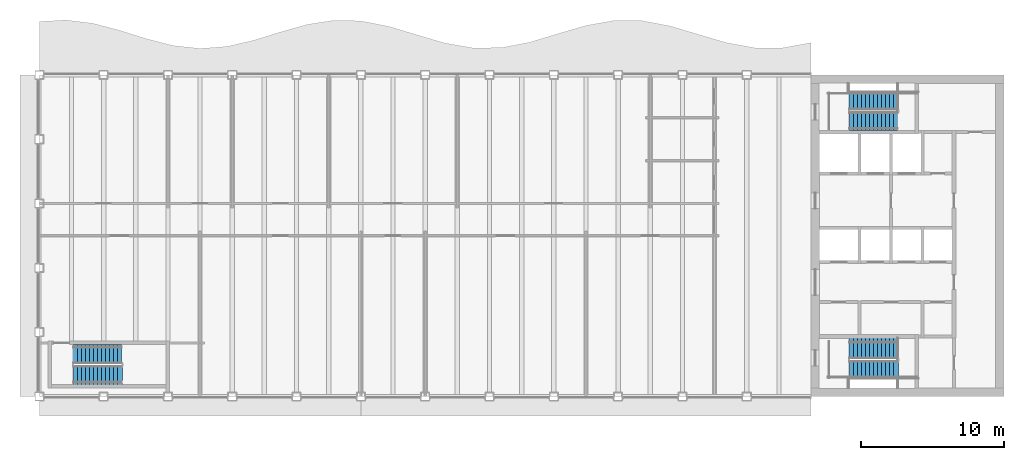
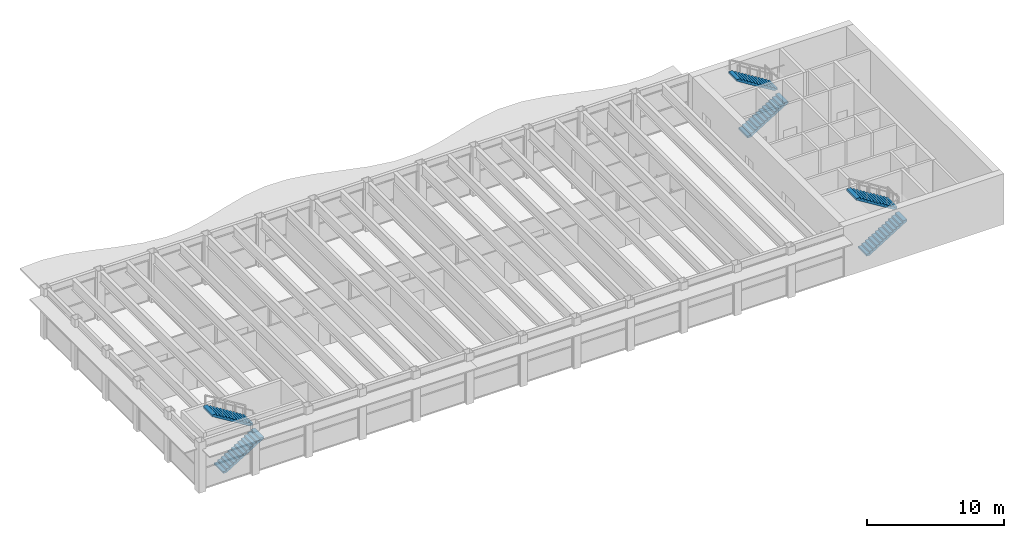
# One storey, part 12 of 15: 6 stair flights, 3 elements without a shape of their own.
"""IFC4 building model written with IfcOpenShell, lengths in metres."""

from ifc_helpers import new_model, si_unit, direction, frame, origin, place, context, subcontext, project, spatial, polyline, outline, extrude, material, type_object, element, aggregate, save


model = new_model("IFC4")

# Units and contexts
model_context = context("Model", 3, precision=1e-05, world=origin(), true_north=direction((0.0, 1.0)))
body_context = subcontext(model_context, "Body", "Model", "MODEL_VIEW")
ifc_project = project(units=[si_unit("LENGTHUNIT", "METRE"), si_unit("AREAUNIT", "SQUARE_METRE"), si_unit("VOLUMEUNIT", "CUBIC_METRE"), si_unit("PLANEANGLEUNIT", "RADIAN"), si_unit("MASSUNIT", "GRAM", prefix="KILO")], contexts=[model_context])

# Site, building, storey
site_placement = place(None, origin())
site = spatial("IfcSite", under=ifc_project, at=site_placement, CompositionType="ELEMENT")
building_placement = place(site_placement, origin())
building = spatial("IfcBuilding", under=site, at=building_placement, Name="Sennacour Bend Tower", CompositionType="ELEMENT")
storey_placement = place(building_placement, frame((0.0, 0.0, 318.5)))
storey = spatial("IfcBuildingStorey", under=building, at=storey_placement, Name="L73", CompositionType="ELEMENT", Elevation=318.5)

# Stair, stair flights
ifc_material = material(Name="Concrete C40/50", Category="concrete")
stair_type = type_object("IfcStairType", Name="ST-DOGLEG", PredefinedType="HALF_TURN_STAIR", material=ifc_material)
stair_1_placement = place(storey_placement, origin())
stair_1 = element("IfcStair", 1, at=stair_1_placement, inside=storey, type_object=stair_type, Name="L73 Exit stair A1", PredefinedType="HALF_TURN_STAIR")
stair_flight_type = type_object("IfcStairFlightType", Name="SFL-RC", PredefinedType="STRAIGHT", material=ifc_material)
stair_flight_1_placement = place(storey_placement, frame((56.699951171875, 1.89990234375, 0.0), z_axis=(0.0, 0.0, 1.0), x_axis=(1.0, 0.0, 0.0)))
stair_flight_1 = element("IfcStairFlight", 2, at=stair_flight_1_placement, type_object=stair_flight_type, Name="SA1 flight 1", NumberOfRisers=13, NumberOfTreads=12, PredefinedType="STRAIGHT", RiserHeight=0.173076923, TreadLength=0.28, context=body_context, shape_type="SweptSolid", body=[
    extrude(outline(polyline([(0.0, 0.0), (0.0, 0.173095703125), (0.280029296875, 0.173095703125), (0.280029296875, 0.34619140625), (0.56005859375, 0.34619140625), (0.56005859375, 0.519287109375), (0.840087890625, 0.519287109375), (0.840087890625, 0.6923828125), (1.1201171875, 0.6923828125), (1.1201171875, 0.865478515625), (1.39990234375, 0.865478515625), (1.39990234375, 1.03857421875), (1.679931640625, 1.03857421875), (1.679931640625, 1.21142578125), (1.9599609375, 1.21142578125), (1.9599609375, 1.384521484375), (2.239990234375, 1.384521484375), (2.239990234375, 1.5576171875), (2.52001953125, 1.5576171875), (2.52001953125, 1.730712890625), (2.800048828125, 1.730712890625), (2.800048828125, 1.90380859375), (3.080078125, 1.90380859375), (3.080078125, 2.076904296875), (3.360107421875, 2.076904296875), (3.419921875, 2.076904296875), (3.419921875, 1.900634765625), (3.360107421875, 1.900634765625), (0.28515625, 0.0), (0.0, 0.0)])), frame((0.0, 0.60009765625, 0.0), z_axis=(0.0, -1.0, 0.0), x_axis=(1.0, 0.0, 0.0)), (0.0, 0.0, 1.0), 1.199951171875),
])
stair_flight_2_placement = place(storey_placement, frame((60.06005859375, 3.37744140625, 2.25), z_axis=(0.0, 0.0, 1.0), x_axis=(-1.0, 0.0, 0.0)))
stair_flight_2 = element("IfcStairFlight", 3, at=stair_flight_2_placement, type_object=stair_flight_type, Name="SA1 flight 2", NumberOfRisers=13, NumberOfTreads=12, PredefinedType="STRAIGHT", RiserHeight=0.173076923, TreadLength=0.28, context=body_context, shape_type="SweptSolid", body=[
    extrude(outline(polyline([(0.0, 0.0), (0.0, 0.173095703125), (0.280029296875, 0.173095703125), (0.280029296875, 0.34619140625), (0.56005859375, 0.34619140625), (0.56005859375, 0.519287109375), (0.840087890625, 0.519287109375), (0.840087890625, 0.6923828125), (1.1201171875, 0.6923828125), (1.1201171875, 0.865478515625), (1.39990234375, 0.865478515625), (1.39990234375, 1.03857421875), (1.679931640625, 1.03857421875), (1.679931640625, 1.21142578125), (1.9599609375, 1.21142578125), (1.9599609375, 1.384521484375), (2.239990234375, 1.384521484375), (2.239990234375, 1.5576171875), (2.52001953125, 1.5576171875), (2.52001953125, 1.730712890625), (2.800048828125, 1.730712890625), (2.800048828125, 1.90380859375), (3.080078125, 1.90380859375), (3.080078125, 2.076904296875), (3.360107421875, 2.076904296875), (3.419921875, 2.076904296875), (3.419921875, 1.900634765625), (3.360107421875, 1.900634765625), (0.28515625, 0.0), (0.0, 0.0)])), frame((0.0, 0.7275390625, 0.0), z_axis=(0.0, -1.0, 0.0), x_axis=(1.0, 0.0, 0.0)), (0.0, 0.0, 1.0), 1.455078125),
])
aggregate(stair_1, [stair_flight_1, stair_flight_2])

stair_2_placement = place(storey_placement, origin())
stair_2 = element("IfcStair", 4, at=stair_2_placement, inside=storey, type_object=stair_type, Name="L73 Exit stair A2", PredefinedType="HALF_TURN_STAIR")
stair_flight_3_placement = place(storey_placement, frame((56.699951171875, 19.24755859375, 0.0), z_axis=(0.0, 0.0, 1.0), x_axis=(1.0, 0.0, 0.0)))
stair_flight_3 = element("IfcStairFlight", 5, at=stair_flight_3_placement, type_object=stair_flight_type, Name="SA2 flight 1", NumberOfRisers=13, NumberOfTreads=12, PredefinedType="STRAIGHT", RiserHeight=0.173076923, TreadLength=0.28, context=body_context, shape_type="SweptSolid", body=[
    extrude(outline(polyline([(0.0, 0.0), (0.0, 0.173095703125), (0.280029296875, 0.173095703125), (0.280029296875, 0.34619140625), (0.56005859375, 0.34619140625), (0.56005859375, 0.519287109375), (0.840087890625, 0.519287109375), (0.840087890625, 0.6923828125), (1.1201171875, 0.6923828125), (1.1201171875, 0.865478515625), (1.39990234375, 0.865478515625), (1.39990234375, 1.03857421875), (1.679931640625, 1.03857421875), (1.679931640625, 1.21142578125), (1.9599609375, 1.21142578125), (1.9599609375, 1.384521484375), (2.239990234375, 1.384521484375), (2.239990234375, 1.5576171875), (2.52001953125, 1.5576171875), (2.52001953125, 1.730712890625), (2.800048828125, 1.730712890625), (2.800048828125, 1.90380859375), (3.080078125, 1.90380859375), (3.080078125, 2.076904296875), (3.360107421875, 2.076904296875), (3.419921875, 2.076904296875), (3.419921875, 1.900634765625), (3.360107421875, 1.900634765625), (0.28515625, 0.0), (0.0, 0.0)])), frame((0.0, 0.65234375, 0.0), z_axis=(0.0, -1.0, 0.0), x_axis=(1.0, 0.0, 0.0)), (0.0, 0.0, 1.0), 1.304931640625),
])
stair_flight_4_placement = place(storey_placement, frame((60.06005859375, 20.64990234375, 2.25), z_axis=(0.0, 0.0, 1.0), x_axis=(-1.0, 0.0, 0.0)))
stair_flight_4 = element("IfcStairFlight", 6, at=stair_flight_4_placement, type_object=stair_flight_type, Name="SA2 flight 2", NumberOfRisers=13, NumberOfTreads=12, PredefinedType="STRAIGHT", RiserHeight=0.173076923, TreadLength=0.28, context=body_context, shape_type="SweptSolid", body=[
    extrude(outline(polyline([(0.0, 0.0), (0.0, 0.173095703125), (0.280029296875, 0.173095703125), (0.280029296875, 0.34619140625), (0.56005859375, 0.34619140625), (0.56005859375, 0.519287109375), (0.840087890625, 0.519287109375), (0.840087890625, 0.6923828125), (1.1201171875, 0.6923828125), (1.1201171875, 0.865478515625), (1.39990234375, 0.865478515625), (1.39990234375, 1.03857421875), (1.679931640625, 1.03857421875), (1.679931640625, 1.21142578125), (1.9599609375, 1.21142578125), (1.9599609375, 1.384521484375), (2.239990234375, 1.384521484375), (2.239990234375, 1.5576171875), (2.52001953125, 1.5576171875), (2.52001953125, 1.730712890625), (2.800048828125, 1.730712890625), (2.800048828125, 1.90380859375), (3.080078125, 1.90380859375), (3.080078125, 2.076904296875), (3.360107421875, 2.076904296875), (3.419921875, 2.076904296875), (3.419921875, 1.900634765625), (3.360107421875, 1.900634765625), (0.28515625, 0.0), (0.0, 0.0)])), frame((0.0, 0.60009765625, 0.0), z_axis=(0.0, -1.0, 0.0), x_axis=(1.0, 0.0, 0.0)), (0.0, 0.0, 1.0), 1.199951171875),
])
aggregate(stair_2, [stair_flight_3, stair_flight_4])

stair_3_placement = place(storey_placement, origin())
stair_3 = element("IfcStair", 7, at=stair_3_placement, inside=storey, type_object=stair_type, Name="L73 Exit stair K1", PredefinedType="HALF_TURN_STAIR")
stair_flight_5_placement = place(storey_placement, frame((2.39990234375, 1.485107421875, 0.0), z_axis=(0.0, 0.0, 1.0), x_axis=(1.0, 0.0, 0.0)))
stair_flight_5 = element("IfcStairFlight", 8, at=stair_flight_5_placement, type_object=stair_flight_type, Name="SK1 flight 1", NumberOfRisers=13, NumberOfTreads=12, PredefinedType="STRAIGHT", RiserHeight=0.173076923, TreadLength=0.28, context=body_context, shape_type="SweptSolid", body=[
    extrude(outline(polyline([(0.0, 0.0), (0.0, 0.173095703125), (0.280029296875, 0.173095703125), (0.280029296875, 0.34619140625), (0.56005859375, 0.34619140625), (0.56005859375, 0.519287109375), (0.840087890625, 0.519287109375), (0.840087890625, 0.6923828125), (1.1201171875, 0.6923828125), (1.1201171875, 0.865478515625), (1.39990234375, 0.865478515625), (1.39990234375, 1.03857421875), (1.679931640625, 1.03857421875), (1.679931640625, 1.21142578125), (1.9599609375, 1.21142578125), (1.9599609375, 1.384521484375), (2.239990234375, 1.384521484375), (2.239990234375, 1.5576171875), (2.52001953125, 1.5576171875), (2.52001953125, 1.730712890625), (2.800048828125, 1.730712890625), (2.800048828125, 1.90380859375), (3.080078125, 1.90380859375), (3.080078125, 2.076904296875), (3.360107421875, 2.076904296875), (3.419921875, 2.076904296875), (3.419921875, 1.900634765625), (3.360107421875, 1.900634765625), (0.28515625, 0.0), (0.0, 0.0)])), frame((0.0, 0.6650390625, 0.0), z_axis=(0.0, -1.0, 0.0), x_axis=(1.0, 0.0, 0.0)), (0.0, 0.0, 1.0), 1.330078125),
])
stair_flight_6_placement = place(storey_placement, frame((5.760009765625, 2.9775390625, 2.25), z_axis=(0.0, 0.0, 1.0), x_axis=(-1.0, 0.0, 0.0)))
stair_flight_6 = element("IfcStairFlight", 9, at=stair_flight_6_placement, type_object=stair_flight_type, Name="SK1 flight 2", NumberOfRisers=13, NumberOfTreads=12, PredefinedType="STRAIGHT", RiserHeight=0.173076923, TreadLength=0.28, context=body_context, shape_type="SweptSolid", body=[
    extrude(outline(polyline([(0.0, 0.0), (0.0, 0.173095703125), (0.280029296875, 0.173095703125), (0.280029296875, 0.34619140625), (0.56005859375, 0.34619140625), (0.56005859375, 0.519287109375), (0.840087890625, 0.519287109375), (0.840087890625, 0.6923828125), (1.1201171875, 0.6923828125), (1.1201171875, 0.865478515625), (1.39990234375, 0.865478515625), (1.39990234375, 1.03857421875), (1.679931640625, 1.03857421875), (1.679931640625, 1.21142578125), (1.9599609375, 1.21142578125), (1.9599609375, 1.384521484375), (2.239990234375, 1.384521484375), (2.239990234375, 1.5576171875), (2.52001953125, 1.5576171875), (2.52001953125, 1.730712890625), (2.800048828125, 1.730712890625), (2.800048828125, 1.90380859375), (3.080078125, 1.90380859375), (3.080078125, 2.076904296875), (3.360107421875, 2.076904296875), (3.419921875, 2.076904296875), (3.419921875, 1.900634765625), (3.360107421875, 1.900634765625), (0.28515625, 0.0), (0.0, 0.0)])), frame((0.0, 0.677490234375, 0.0), z_axis=(0.0, -1.0, 0.0), x_axis=(1.0, 0.0, 0.0)), (0.0, 0.0, 1.0), 1.35498046875),
])
aggregate(stair_3, [stair_flight_5, stair_flight_6])

save(model, "model.ifc")
